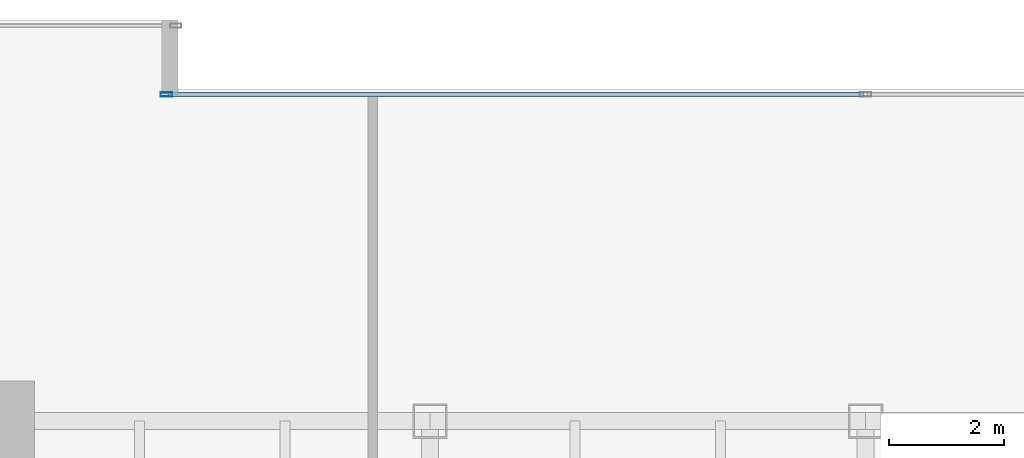
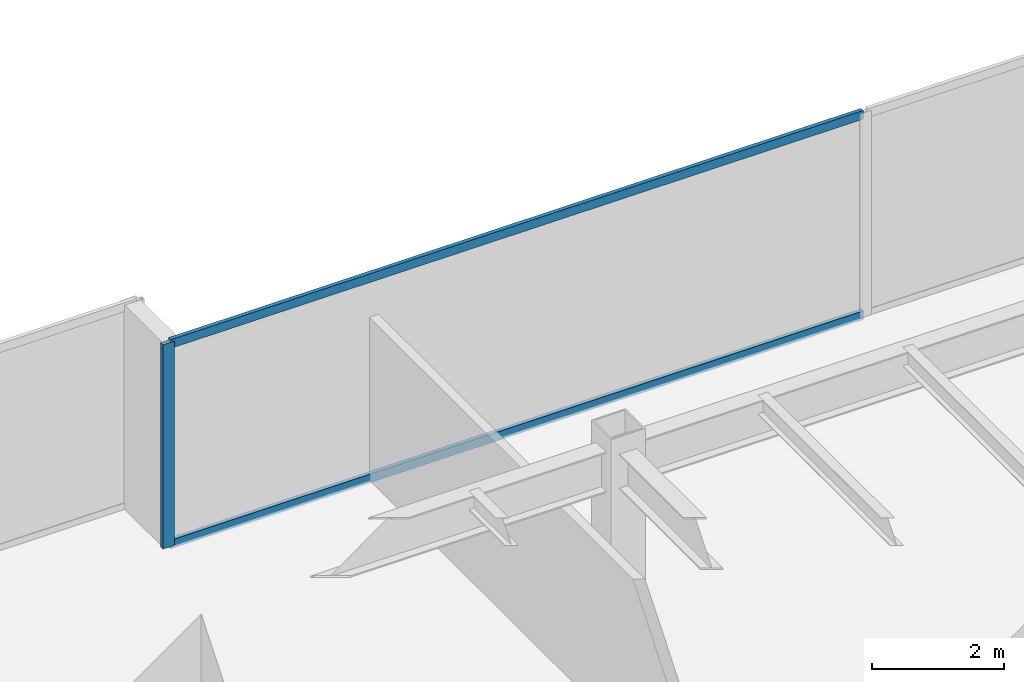
# One storey, part 14 of 35: 3 members, 1 element without a shape of its own.
"""IFC4 building model written with IfcOpenShell, lengths in metres."""

from ifc_helpers import new_model, si_unit, direction, frame, origin, origin_2d, place, context, subcontext, project, spatial, hollow_rectangle, extrude, source, transform, mapped, material, layer, layer_set, material_profile, profile_set, type_object, type_shapes, element, aggregate, save


model = new_model("IFC4")

# Units and contexts
model_context = context("Model", 3, precision=1e-05, world=origin(), true_north=direction((0.0, 1.0)))
body_context = subcontext(model_context, "Body", "Model", "MODEL_VIEW")
ifc_project = project(units=[si_unit("LENGTHUNIT", "METRE"), si_unit("AREAUNIT", "SQUARE_METRE"), si_unit("VOLUMEUNIT", "CUBIC_METRE"), si_unit("PLANEANGLEUNIT", "RADIAN"), si_unit("MASSUNIT", "GRAM", prefix="KILO")], contexts=[model_context])

# Site, building, storey
site_placement = place(None, origin())
site = spatial("IfcSite", under=ifc_project, at=site_placement, CompositionType="ELEMENT")
building_placement = place(site_placement, origin())
building = spatial("IfcBuilding", under=site, at=building_placement, Name="Haelvirn Gate Laboratories", CompositionType="ELEMENT")
storey_placement = place(building_placement, frame((0.0, 0.0, 70.300048828125)))
storey = spatial("IfcBuildingStorey", under=building, at=storey_placement, Name="L17", CompositionType="ELEMENT", Elevation=70.300048828125)

# Curtain wall, members
ifc_material_1 = material(Name="Anodised bronze unitised aluminium & triple low-E glass", Category="aluminium")
ifc_layer = layer(ifc_material_1, 0.18408203125, Name="CW-SYS-2")
ifc_layer_set = layer_set([ifc_layer], Name="Anodised bronze unitised aluminium & triple low-E glass")
curtain_wall_type = type_object("IfcCurtainWallType", Name="CW-SYS-2", PredefinedType="NOTDEFINED", material=ifc_layer_set)
curtain_wall_placement = place(storey_placement, origin())
curtain_wall = element("IfcCurtainWall", 1, at=curtain_wall_placement, inside=storey, type_object=curtain_wall_type, Name="L17 Unitised Curtain Wall CW-L17-P0-E12-1", PredefinedType="NOTDEFINED")
ifc_material_2 = material(Name="Extruded aluminium 6063-T6 (anodised bronze)", Category="aluminium")
ifc_material_profile_1 = material_profile(ifc_material_2, hollow_rectangle(XDim=0.074951171875, YDim=0.199951171875, WallThickness=0.0048828125, at=origin_2d()), Name="CWM-200x75x5")
ifc_profile_set_1 = profile_set([ifc_material_profile_1], Name="Extruded aluminium 6063-T6 (anodised bronze)")
member_type_1 = type_object("IfcMemberType", Name="CWM-T200", PredefinedType="MULLION", material=ifc_profile_set_1)
shared_shape_1 = source(origin(), body_context, "Body", "SweptSolid", [
    extrude(hollow_rectangle(XDim=0.074951171875, YDim=0.199951171875, WallThickness=0.0048828125, at=origin_2d()), origin(), (0.0, 0.0, 1.0), 3.780029296875),
])
type_shapes(member_type_1, [shared_shape_1])
member_1_placement = place(storey_placement, frame((25.197509765625, 47.300048828125, 0.0), z_axis=(0.0, 0.0, 1.0), x_axis=(0.0, 1.0, 0.0)))
member_1 = element("IfcMember", 2, at=member_1_placement, type_object=member_type_1, Name="CW2 mullion 1", PredefinedType="MULLION", context=body_context, shape_type="MappedRepresentation", body=[
    mapped(shared_shape_1, transform((0.0, 0.0, 0.0), scale=1.0)),
])
ifc_material_profile_2 = material_profile(ifc_material_2, hollow_rectangle(XDim=0.070068359375, YDim=0.159912109375, WallThickness=0.0048828125, at=origin_2d()), Name="CWT-160x70x5")
ifc_profile_set_2 = profile_set([ifc_material_profile_2], Name="Extruded aluminium 6063-T6 (anodised bronze)")
member_type_2 = type_object("IfcMemberType", Name="CWT-T160", PredefinedType="USERDEFINED", material=ifc_profile_set_2)
shared_shape_2 = source(origin(), body_context, "Body", "SweptSolid", [
    extrude(hollow_rectangle(XDim=0.070068359375, YDim=0.159912109375, WallThickness=0.0048828125, at=origin_2d()), origin(), (0.0, 0.0, 1.0), 12.12744140625),
])
type_shapes(member_type_2, [shared_shape_2])
member_2_placement = place(storey_placement, frame((25.235107421875, 47.300048828125, 0.034912109375), z_axis=(1.0, 0.0, 0.0), x_axis=(0.0, 1.0, 0.0)))
member_2 = element("IfcMember", 3, at=member_2_placement, type_object=member_type_2, Name="CW2 transom 1.1", ObjectType="TRANSOM", PredefinedType="USERDEFINED", context=body_context, shape_type="MappedRepresentation", body=[
    mapped(shared_shape_2, transform((0.0, 0.0, 0.0), scale=1.0)),
])
member_3_placement = place(storey_placement, frame((25.235107421875, 47.300048828125, 3.744873046875), z_axis=(1.0, 0.0, 0.0), x_axis=(0.0, 1.0, 0.0)))
member_3 = element("IfcMember", 4, at=member_3_placement, type_object=member_type_2, Name="CW2 transom 1.2", ObjectType="TRANSOM", PredefinedType="USERDEFINED", context=body_context, shape_type="MappedRepresentation", body=[
    mapped(shared_shape_2, transform((0.0, 0.0, 0.0), scale=1.0)),
])
aggregate(curtain_wall, [member_1, member_2, member_3])

save(model, "model.ifc")
